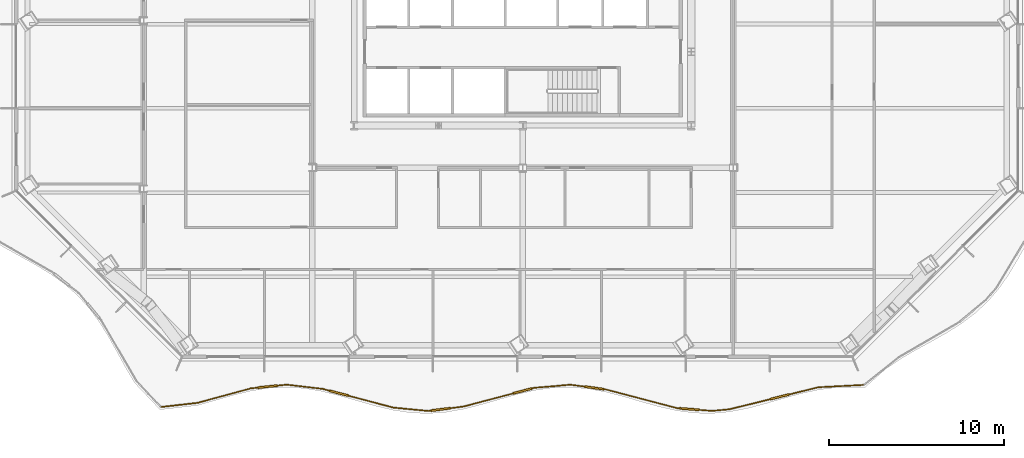
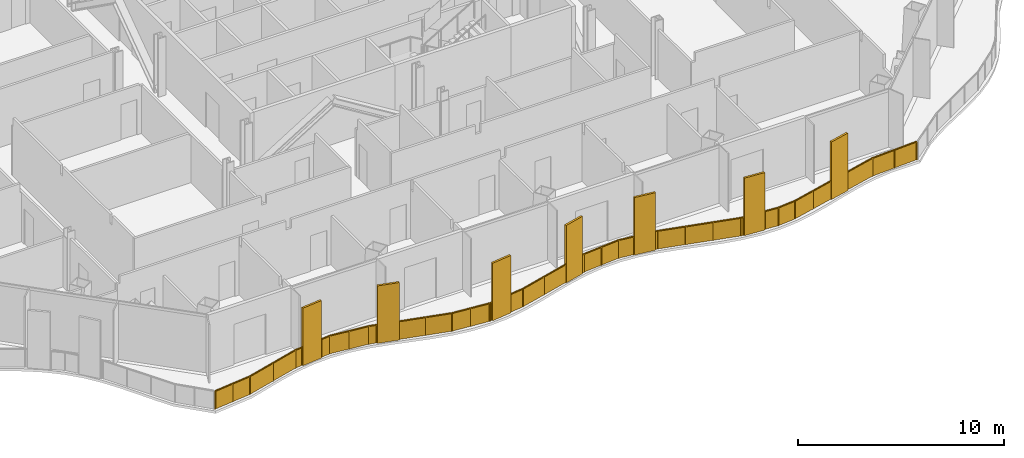
# One storey, part 15 of 22: 1 railing.
"""IFC4 building model written with IfcOpenShell, lengths in metres."""

from ifc_helpers import new_model, si_unit, direction, frame, origin, origin_2d, place, context, subcontext, project, spatial, polyline, rectangle, outline, extrude, material, type_object, element, save


model = new_model("IFC4")

# Units and contexts
model_context = context("Model", 3, precision=1e-05, world=origin(), true_north=direction((0.0, 1.0)))
body_context = subcontext(model_context, "Body", "Model", "MODEL_VIEW")
ifc_project = project(units=[si_unit("LENGTHUNIT", "METRE"), si_unit("AREAUNIT", "SQUARE_METRE"), si_unit("VOLUMEUNIT", "CUBIC_METRE"), si_unit("PLANEANGLEUNIT", "RADIAN"), si_unit("MASSUNIT", "GRAM", prefix="KILO")], contexts=[model_context])

# Site, building, storey
site_placement = place(None, origin())
site = spatial("IfcSite", under=ifc_project, at=site_placement, CompositionType="ELEMENT")
building_placement = place(site_placement, origin())
building = spatial("IfcBuilding", under=site, at=building_placement, Name="Cairn Pilgrim Tower", CompositionType="ELEMENT")
storey_placement = place(building_placement, frame((0.0, 0.0, 112.199951171875)))
storey = spatial("IfcBuildingStorey", under=building, at=storey_placement, Name="L27", CompositionType="ELEMENT", Elevation=112.199951171875)

# Railing
ifc_material = material(Name="Bronze anodised aluminium rail, posts and fin screens with laminated glass infill", Category="aluminium")
railing_type = type_object("IfcRailingType", Name="BALCONY GUARD WITH FIN SCREENS", PredefinedType="GUARDRAIL", material=ifc_material)
railing_placement = place(storey_placement, frame((-13.414794921875, -22.036376953125, 0.0)))
element("IfcRailing", 1, at=railing_placement, inside=storey, type_object=railing_type, Name="Balcony guard BGF-1 with fin screens", PredefinedType="GUARDRAIL", context=body_context, shape_type="SweptSolid", body=[
    extrude(rectangle(XDim=0.050048828125, YDim=0.050048828125, at=origin_2d()), frame((0.0, 0.0, 1.0751953125), z_axis=(0.993585282141, 0.113085309008, 0.0), x_axis=(-0.113085309008, 0.993585282141, 0.0)), (0.0, 0.0, 1.0), 2.08984375),
    extrude(rectangle(XDim=0.050048828125, YDim=0.050048828125, at=origin_2d()), frame((2.076416015625, 0.236328125, 1.0751953125), z_axis=(0.965069769066, 0.261993016769, 0.0), x_axis=(-0.261993016769, 0.965069769066, 0.0)), (0.0, 0.0, 1.0), 3.142333984375),
    extrude(rectangle(XDim=1.10009765625, YDim=0.110107421875, at=origin_2d()), frame((6.07275390625, 1.16015625, 0.0), z_axis=(0.0, 0.0, 1.0), x_axis=(0.994599825521, 0.10378432962, 0.0)), (0.0, 0.0, 1.0), 3.39990234375),
    extrude(rectangle(XDim=0.050048828125, YDim=0.050048828125, at=origin_2d()), frame((5.10888671875, 1.0595703125, 1.0751953125), z_axis=(0.994599825521, 0.10378432962, 0.0), x_axis=(-0.10378432962, 0.994599825521, 0.0)), (0.0, 0.0, 1.0), 0.419189453125),
    extrude(rectangle(XDim=0.050048828125, YDim=0.050048828125, at=origin_2d()), frame((6.619873046875, 1.21728515625, 1.0751953125), z_axis=(0.994599825521, 0.10378432962, 0.0), x_axis=(-0.10378432962, 0.994599825521, 0.0)), (0.0, 0.0, 1.0), 0.54150390625),
    extrude(rectangle(XDim=0.050048828125, YDim=0.050048828125, at=origin_2d()), frame((7.158447265625, 1.2734375, 1.0751953125), z_axis=(0.993177246604, -0.116614565253, 0.0), x_axis=(0.116614565253, 0.993177246604, 0.0)), (0.0, 0.0, 1.0), 2.062255859375),
    extrude(rectangle(XDim=1.10009765625, YDim=0.110107421875, at=origin_2d()), frame((10.142578125, 0.78564453125, 0.0), z_axis=(0.0, 0.0, 1.0), x_axis=(0.96679017807, -0.255571421695, 0.0)), (0.0, 0.0, 1.0), 3.39990234375),
    extrude(rectangle(XDim=0.050048828125, YDim=0.050048828125, at=origin_2d()), frame((9.20654296875, 1.032958984375, 1.0751953125), z_axis=(0.96679017807, -0.255571421695, 0.0), x_axis=(0.255571421695, 0.96679017807, 0.0)), (0.0, 0.0, 1.0), 0.418212890625),
    extrude(rectangle(XDim=0.050048828125, YDim=0.050048828125, at=origin_2d()), frame((10.67431640625, 0.64501953125, 1.0751953125), z_axis=(0.96679017807, -0.255571421695, 0.0), x_axis=(0.255571421695, 0.96679017807, 0.0)), (0.0, 0.0, 1.0), 2.6611328125),
    extrude(rectangle(XDim=0.050048828125, YDim=0.050048828125, at=origin_2d()), frame((13.2470703125, -0.03515625, 1.0751953125), z_axis=(0.995486696668, -0.094901194707, 0.0), x_axis=(0.094901194707, 0.995486696668, 0.0)), (0.0, 0.0, 1.0), 2.00146484375),
    extrude(rectangle(XDim=1.10009765625, YDim=0.110107421875, at=origin_2d()), frame((15.933837890625, -0.1376953125, 0.0), z_axis=(0.0, 0.0, 1.0), x_axis=(0.992161609302, 0.124961358136, 0.0)), (0.0, 0.0, 1.0), 3.39990234375),
    extrude(rectangle(XDim=0.050048828125, YDim=0.050048828125, at=origin_2d()), frame((15.239501953125, -0.22509765625, 1.0751953125), z_axis=(0.992161609302, 0.124961358136, 0.0), x_axis=(-0.124961358136, 0.992161609302, 0.0)), (0.0, 0.0, 1.0), 0.14990234375),
    extrude(rectangle(XDim=0.050048828125, YDim=0.050048828125, at=origin_2d()), frame((16.4794921875, -0.06884765625, 1.0751953125), z_axis=(0.992161609302, 0.124961358136, 0.0), x_axis=(-0.124961358136, 0.992161609302, 0.0)), (0.0, 0.0, 1.0), 0.760498046875),
    extrude(rectangle(XDim=1.10009765625, YDim=0.110107421875, at=origin_2d()), frame((20.602294921875, 0.914794921875, 0.0), z_axis=(0.0, 0.0, 1.0), x_axis=(0.966916354271, 0.255093637404, 0.0)), (0.0, 0.0, 1.0), 3.39990234375),
    extrude(rectangle(XDim=0.050048828125, YDim=0.050048828125, at=origin_2d()), frame((17.234130859375, 0.026123046875, 1.0751953125), z_axis=(0.966916354271, 0.255093637404, 0.0), x_axis=(-0.255093637404, 0.966916354271, 0.0)), (0.0, 0.0, 1.0), 2.933349609375),
    extrude(rectangle(XDim=0.050048828125, YDim=0.050048828125, at=origin_2d()), frame((21.134033203125, 1.054931640625, 1.0751953125), z_axis=(0.966916354271, 0.255093637404, 0.0), x_axis=(-0.255093637404, 0.966916354271, 0.0)), (0.0, 0.0, 1.0), 0.14990234375),
    extrude(rectangle(XDim=0.050048828125, YDim=0.050048828125, at=origin_2d()), frame((21.279052734375, 1.09326171875, 1.0751953125), z_axis=(0.99628408695, 0.086127917019, 0.0), x_axis=(-0.086127917019, 0.99628408695, 0.0)), (0.0, 0.0, 1.0), 2.057861328125),
    extrude(rectangle(XDim=1.10009765625, YDim=0.110107421875, at=origin_2d()), frame((24.682373046875, 1.088623046875, 0.0), z_axis=(0.0, 0.0, 1.0), x_axis=(0.991085892117, -0.133224451385, 0.0)), (0.0, 0.0, 1.0), 3.39990234375),
    extrude(rectangle(XDim=0.050048828125, YDim=0.050048828125, at=origin_2d()), frame((23.329345703125, 1.2705078125, 1.0751953125), z_axis=(0.991085892117, -0.133224451385, 0.0), x_axis=(0.133224451385, 0.991085892117, 0.0)), (0.0, 0.0, 1.0), 0.815185546875),
    extrude(rectangle(XDim=0.050048828125, YDim=0.050048828125, at=origin_2d()), frame((25.2275390625, 1.015380859375, 1.0751953125), z_axis=(0.991085892117, -0.133224451385, 0.0), x_axis=(0.133224451385, 0.991085892117, 0.0)), (0.0, 0.0, 1.0), 0.150146484375),
    extrude(rectangle(XDim=0.050048828125, YDim=0.050048828125, at=origin_2d()), frame((25.376220703125, 0.995361328125, 1.0751953125), z_axis=(0.967094227536, -0.254418464478, 0.0), x_axis=(0.254418464478, 0.967094227536, 0.0)), (0.0, 0.0, 1.0), 4.17529296875),
    extrude(rectangle(XDim=1.10009765625, YDim=0.110107421875, at=origin_2d()), frame((30.11181640625, -0.120849609375, 0.0), z_axis=(0.0, 0.0, 1.0), x_axis=(0.997031472181, -0.076995087376, 0.0)), (0.0, 0.0, 1.0), 3.39990234375),
    extrude(rectangle(XDim=0.050048828125, YDim=0.050048828125, at=origin_2d()), frame((29.4140625, -0.06689453125, 1.0751953125), z_axis=(0.997031472181, -0.076995087376, 0.0), x_axis=(0.076995087376, 0.997031472181, 0.0)), (0.0, 0.0, 1.0), 0.14990234375),
    extrude(rectangle(XDim=0.050048828125, YDim=0.050048828125, at=origin_2d()), frame((30.660400390625, -0.1630859375, 1.0751953125), z_axis=(0.997031472181, -0.076995087376, 0.0), x_axis=(0.076995087376, 0.997031472181, 0.0)), (0.0, 0.0, 1.0), 0.7509765625),
    extrude(rectangle(XDim=0.050048828125, YDim=0.050048828125, at=origin_2d()), frame((31.408935546875, -0.220947265625, 1.0751953125), z_axis=(0.995744443529, 0.092157491185, 0.0), x_axis=(-0.092157491185, 0.995744443529, 0.0)), (0.0, 0.0, 1.0), 0.99072265625),
    extrude(rectangle(XDim=1.10009765625, YDim=0.110107421875, at=origin_2d()), frame((35.2626953125, 0.581787109375, 0.0), z_axis=(0.0, 0.0, 1.0), x_axis=(0.970571070207, 0.240814861828, 0.0)), (0.0, 0.0, 1.0), 3.39990234375),
    extrude(rectangle(XDim=0.050048828125, YDim=0.050048828125, at=origin_2d()), frame((32.3955078125, -0.129638671875, 1.0751953125), z_axis=(0.970571070207, 0.240814861828, 0.0), x_axis=(-0.240814861828, 0.970571070207, 0.0)), (0.0, 0.0, 1.0), 2.404052734375),
    extrude(rectangle(XDim=0.050048828125, YDim=0.050048828125, at=origin_2d()), frame((35.79638671875, 0.714111328125, 1.0751953125), z_axis=(0.970571070207, 0.240814861828, 0.0), x_axis=(-0.240814861828, 0.970571070207, 0.0)), (0.0, 0.0, 1.0), 1.704833984375),
    extrude(rectangle(XDim=0.050048828125, YDim=0.050048828125, at=origin_2d()), frame((37.451171875, 1.124755859375, 1.0751953125), z_axis=(0.998649050949, 0.051962227041, 0.0), x_axis=(-0.051962227041, 0.998649050949, 0.0)), (0.0, 0.0, 1.0), 2.555908203125),
    extrude(rectangle(XDim=0.050048828125, YDim=0.050048828125, at=origin_2d()), origin(), (0.0, 0.0, 1.0), 1.050048828125),
    extrude(rectangle(XDim=0.050048828125, YDim=0.050048828125, at=origin_2d()), frame((1.0380859375, 0.1181640625, 0.0)), (0.0, 0.0, 1.0), 1.050048828125),
    extrude(rectangle(XDim=0.050048828125, YDim=0.050048828125, at=origin_2d()), frame((2.076416015625, 0.236328125, 0.0)), (0.0, 0.0, 1.0), 1.050048828125),
    extrude(rectangle(XDim=0.050048828125, YDim=0.050048828125, at=origin_2d()), frame((3.5927734375, 0.64794921875, 0.0)), (0.0, 0.0, 1.0), 1.050048828125),
    extrude(rectangle(XDim=0.050048828125, YDim=0.050048828125, at=origin_2d()), frame((5.10888671875, 1.0595703125, 0.0)), (0.0, 0.0, 1.0), 1.050048828125),
    extrude(rectangle(XDim=0.050048828125, YDim=0.050048828125, at=origin_2d()), frame((5.5009765625, 1.1005859375, 0.0)), (0.0, 0.0, 1.0), 1.050048828125),
    extrude(rectangle(XDim=0.050048828125, YDim=0.050048828125, at=origin_2d()), frame((6.644775390625, 1.2197265625, 0.0)), (0.0, 0.0, 1.0), 1.050048828125),
    extrude(rectangle(XDim=0.050048828125, YDim=0.050048828125, at=origin_2d()), frame((7.158447265625, 1.2734375, 0.0)), (0.0, 0.0, 1.0), 1.050048828125),
    extrude(rectangle(XDim=0.050048828125, YDim=0.050048828125, at=origin_2d()), frame((8.1826171875, 1.1533203125, 0.0)), (0.0, 0.0, 1.0), 1.050048828125),
    extrude(rectangle(XDim=0.050048828125, YDim=0.050048828125, at=origin_2d()), frame((9.20654296875, 1.032958984375, 0.0)), (0.0, 0.0, 1.0), 1.050048828125),
    extrude(rectangle(XDim=0.050048828125, YDim=0.050048828125, at=origin_2d()), frame((9.586669921875, 0.9326171875, 0.0)), (0.0, 0.0, 1.0), 1.050048828125),
    extrude(rectangle(XDim=0.050048828125, YDim=0.050048828125, at=origin_2d()), frame((10.698486328125, 0.638671875, 0.0)), (0.0, 0.0, 1.0), 1.050048828125),
    extrude(rectangle(XDim=0.050048828125, YDim=0.050048828125, at=origin_2d()), frame((11.97265625, 0.3017578125, 0.0)), (0.0, 0.0, 1.0), 1.050048828125),
    extrude(rectangle(XDim=0.050048828125, YDim=0.050048828125, at=origin_2d()), frame((13.2470703125, -0.03515625, 0.0)), (0.0, 0.0, 1.0), 1.050048828125),
    extrude(rectangle(XDim=0.050048828125, YDim=0.050048828125, at=origin_2d()), frame((14.2431640625, -0.130126953125, 0.0)), (0.0, 0.0, 1.0), 1.050048828125),
    extrude(rectangle(XDim=0.050048828125, YDim=0.050048828125, at=origin_2d()), frame((15.239501953125, -0.22509765625, 0.0)), (0.0, 0.0, 1.0), 1.050048828125),
    extrude(rectangle(XDim=0.050048828125, YDim=0.050048828125, at=origin_2d()), frame((15.36328125, -0.20947265625, 0.0)), (0.0, 0.0, 1.0), 1.050048828125),
    extrude(rectangle(XDim=0.050048828125, YDim=0.050048828125, at=origin_2d()), frame((16.50439453125, -0.065673828125, 0.0)), (0.0, 0.0, 1.0), 1.050048828125),
    extrude(rectangle(XDim=0.050048828125, YDim=0.050048828125, at=origin_2d()), frame((17.234130859375, 0.026123046875, 0.0)), (0.0, 0.0, 1.0), 1.050048828125),
    extrude(rectangle(XDim=0.050048828125, YDim=0.050048828125, at=origin_2d()), frame((18.64013671875, 0.39697265625, 0.0)), (0.0, 0.0, 1.0), 1.050048828125),
    extrude(rectangle(XDim=0.050048828125, YDim=0.050048828125, at=origin_2d()), frame((20.046142578125, 0.76806640625, 0.0)), (0.0, 0.0, 1.0), 1.050048828125),
    extrude(rectangle(XDim=0.050048828125, YDim=0.050048828125, at=origin_2d()), frame((21.158203125, 1.061279296875, 0.0)), (0.0, 0.0, 1.0), 1.050048828125),
    extrude(rectangle(XDim=0.050048828125, YDim=0.050048828125, at=origin_2d()), frame((21.279052734375, 1.09326171875, 0.0)), (0.0, 0.0, 1.0), 1.050048828125),
    extrude(rectangle(XDim=0.050048828125, YDim=0.050048828125, at=origin_2d()), frame((22.30419921875, 1.181884765625, 0.0)), (0.0, 0.0, 1.0), 1.050048828125),
    extrude(rectangle(XDim=0.050048828125, YDim=0.050048828125, at=origin_2d()), frame((23.329345703125, 1.2705078125, 0.0)), (0.0, 0.0, 1.0), 1.050048828125),
    extrude(rectangle(XDim=0.050048828125, YDim=0.050048828125, at=origin_2d()), frame((24.112548828125, 1.165283203125, 0.0)), (0.0, 0.0, 1.0), 1.050048828125),
    extrude(rectangle(XDim=0.050048828125, YDim=0.050048828125, at=origin_2d()), frame((25.252197265625, 1.011962890625, 0.0)), (0.0, 0.0, 1.0), 1.050048828125),
    extrude(rectangle(XDim=0.050048828125, YDim=0.050048828125, at=origin_2d()), frame((25.376220703125, 0.995361328125, 0.0)), (0.0, 0.0, 1.0), 1.050048828125),
    extrude(rectangle(XDim=0.050048828125, YDim=0.050048828125, at=origin_2d()), frame((26.72216796875, 0.641357421875, 0.0)), (0.0, 0.0, 1.0), 1.050048828125),
    extrude(rectangle(XDim=0.050048828125, YDim=0.050048828125, at=origin_2d()), frame((28.068115234375, 0.287109375, 0.0)), (0.0, 0.0, 1.0), 1.050048828125),
    extrude(rectangle(XDim=0.050048828125, YDim=0.050048828125, at=origin_2d()), frame((29.4140625, -0.06689453125, 0.0)), (0.0, 0.0, 1.0), 1.050048828125),
    extrude(rectangle(XDim=0.050048828125, YDim=0.050048828125, at=origin_2d()), frame((29.53857421875, -0.076416015625, 0.0)), (0.0, 0.0, 1.0), 1.050048828125),
    extrude(rectangle(XDim=0.050048828125, YDim=0.050048828125, at=origin_2d()), frame((30.685302734375, -0.1650390625, 0.0)), (0.0, 0.0, 1.0), 1.050048828125),
    extrude(rectangle(XDim=0.050048828125, YDim=0.050048828125, at=origin_2d()), frame((31.408935546875, -0.220947265625, 0.0)), (0.0, 0.0, 1.0), 1.050048828125),
    extrude(rectangle(XDim=0.050048828125, YDim=0.050048828125, at=origin_2d()), frame((32.3955078125, -0.129638671875, 0.0)), (0.0, 0.0, 1.0), 1.050048828125),
    extrude(rectangle(XDim=0.050048828125, YDim=0.050048828125, at=origin_2d()), frame((33.550048828125, 0.15673828125, 0.0)), (0.0, 0.0, 1.0), 1.050048828125),
    extrude(rectangle(XDim=0.050048828125, YDim=0.050048828125, at=origin_2d()), frame((34.70458984375, 0.443359375, 0.0)), (0.0, 0.0, 1.0), 1.050048828125),
    extrude(rectangle(XDim=0.050048828125, YDim=0.050048828125, at=origin_2d()), frame((35.82080078125, 0.72021484375, 0.0)), (0.0, 0.0, 1.0), 1.050048828125),
    extrude(rectangle(XDim=0.050048828125, YDim=0.050048828125, at=origin_2d()), frame((37.451171875, 1.124755859375, 0.0)), (0.0, 0.0, 1.0), 1.050048828125),
    extrude(rectangle(XDim=0.050048828125, YDim=0.050048828125, at=origin_2d()), frame((38.7275390625, 1.191162109375, 0.0)), (0.0, 0.0, 1.0), 1.050048828125),
    extrude(rectangle(XDim=0.050048828125, YDim=0.050048828125, at=origin_2d()), frame((40.003662109375, 1.257568359375, 0.0)), (0.0, 0.0, 1.0), 1.050048828125),
    extrude(outline(polyline([(0.02490234375, 0.0), (1.019775390625, 0.0), (1.019775390625, 1.050048828125), (0.02490234375, 1.050048828125), (0.02490234375, 0.0)])), frame((-0.000732421875, 0.005859375, 0.0), z_axis=(0.113085309008, -0.993585282141, 0.0), x_axis=(0.993585282141, 0.113085309008, 0.0)), (0.0, 0.0, 1.0), 0.011962890625),
    extrude(outline(polyline([(0.02490234375, 0.0), (1.019775390625, 0.0), (1.019775390625, 1.050048828125), (0.02490234375, 1.050048828125), (0.02490234375, 0.0)])), frame((1.03759765625, 0.1240234375, 0.0), z_axis=(0.113085309008, -0.993585282141, 0.0), x_axis=(0.993585282141, 0.113085309008, 0.0)), (0.0, 0.0, 1.0), 0.011962890625),
    extrude(outline(polyline([(0.02490234375, 0.0), (1.546142578125, 0.0), (1.546142578125, 1.050048828125), (0.02490234375, 1.050048828125), (0.02490234375, 0.0)])), frame((2.074951171875, 0.2421875, 0.0), z_axis=(0.261993016769, -0.965069769066, 0.0), x_axis=(0.965069769066, 0.261993016769, 0.0)), (0.0, 0.0, 1.0), 0.011962890625),
    extrude(outline(polyline([(0.02490234375, 0.0), (1.546142578125, 0.0), (1.546142578125, 1.050048828125), (0.02490234375, 1.050048828125), (0.02490234375, 0.0)])), frame((3.591064453125, 0.65380859375, 0.0), z_axis=(0.261993016769, -0.965069769066, 0.0), x_axis=(0.965069769066, 0.261993016769, 0.0)), (0.0, 0.0, 1.0), 0.011962890625),
    extrude(outline(polyline([(0.02490234375, 0.0), (0.369140625, 0.0), (0.369140625, 1.050048828125), (0.02490234375, 1.050048828125), (0.02490234375, 0.0)])), frame((5.108154296875, 1.0654296875, 0.0), z_axis=(0.10378432962, -0.994599825521, 0.0), x_axis=(0.994599825521, 0.10378432962, 0.0)), (0.0, 0.0, 1.0), 0.011962890625),
    extrude(outline(polyline([(0.02490234375, 0.0), (0.491455078125, 0.0), (0.491455078125, 1.050048828125), (0.02490234375, 1.050048828125), (0.02490234375, 0.0)])), frame((6.64404296875, 1.225830078125, 0.0), z_axis=(0.10378432962, -0.994599825521, 0.0), x_axis=(0.994599825521, 0.10378432962, 0.0)), (0.0, 0.0, 1.0), 0.011962890625),
    extrude(outline(polyline([(0.02490234375, 0.0), (1.006103515625, 0.0), (1.006103515625, 1.050048828125), (0.02490234375, 1.050048828125), (0.02490234375, 0.0)])), frame((7.1591796875, 1.279296875, 0.0), z_axis=(-0.116614565253, -0.993177246604, 0.0), x_axis=(0.993177246604, -0.116614565253, 0.0)), (0.0, 0.0, 1.0), 0.011962890625),
    extrude(outline(polyline([(0.02490234375, 0.0), (1.006103515625, 0.0), (1.006103515625, 1.050048828125), (0.02490234375, 1.050048828125), (0.02490234375, 0.0)])), frame((8.18310546875, 1.1591796875, 0.0), z_axis=(-0.116614565253, -0.993177246604, 0.0), x_axis=(0.993177246604, -0.116614565253, 0.0)), (0.0, 0.0, 1.0), 0.011962890625),
    extrude(outline(polyline([(0.02490234375, 0.0), (0.3681640625, 0.0), (0.3681640625, 1.050048828125), (0.02490234375, 1.050048828125), (0.02490234375, 0.0)])), frame((9.2080078125, 1.038818359375, 0.0), z_axis=(-0.255571421695, -0.96679017807, 0.0), x_axis=(0.96679017807, -0.255571421695, 0.0)), (0.0, 0.0, 1.0), 0.011962890625),
    extrude(outline(polyline([(0.02490234375, 0.0), (1.29296875, 0.0), (1.29296875, 1.050048828125), (0.02490234375, 1.050048828125), (0.02490234375, 0.0)])), frame((10.699951171875, 0.644287109375, 0.0), z_axis=(-0.255571421695, -0.96679017807, 0.0), x_axis=(0.96679017807, -0.255571421695, 0.0)), (0.0, 0.0, 1.0), 0.011962890625),
    extrude(outline(polyline([(0.02490234375, 0.0), (1.29296875, 0.0), (1.29296875, 1.050048828125), (0.02490234375, 1.050048828125), (0.02490234375, 0.0)])), frame((11.974365234375, 0.3076171875, 0.0), z_axis=(-0.255571421695, -0.96679017807, 0.0), x_axis=(0.96679017807, -0.255571421695, 0.0)), (0.0, 0.0, 1.0), 0.011962890625),
    extrude(outline(polyline([(0.02490234375, 0.0), (0.975830078125, 0.0), (0.975830078125, 1.050048828125), (0.02490234375, 1.050048828125), (0.02490234375, 0.0)])), frame((13.24755859375, -0.029296875, 0.0), z_axis=(-0.094901194707, -0.995486696668, 0.0), x_axis=(0.995486696668, -0.094901194707, 0.0)), (0.0, 0.0, 1.0), 0.011962890625),
    extrude(outline(polyline([(0.02490234375, 0.0), (0.975830078125, 0.0), (0.975830078125, 1.050048828125), (0.02490234375, 1.050048828125), (0.02490234375, 0.0)])), frame((14.243896484375, -0.124267578125, 0.0), z_axis=(-0.094901194707, -0.995486696668, 0.0), x_axis=(0.995486696668, -0.094901194707, 0.0)), (0.0, 0.0, 1.0), 0.011962890625),
    extrude(outline(polyline([(0.02490234375, 0.0), (0.099853515625, 0.0), (0.099853515625, 1.050048828125), (0.02490234375, 1.050048828125), (0.02490234375, 0.0)])), frame((15.23876953125, -0.21923828125, 0.0), z_axis=(0.124961358136, -0.992161609302, 0.0), x_axis=(0.992161609302, 0.124961358136, 0.0)), (0.0, 0.0, 1.0), 0.011962890625),
    extrude(outline(polyline([(0.02490234375, 0.0), (0.71044921875, 0.0), (0.71044921875, 1.050048828125), (0.02490234375, 1.050048828125), (0.02490234375, 0.0)])), frame((16.503662109375, -0.059814453125, 0.0), z_axis=(0.124961358136, -0.992161609302, 0.0), x_axis=(0.992161609302, 0.124961358136, 0.0)), (0.0, 0.0, 1.0), 0.011962890625),
    extrude(outline(polyline([(0.02490234375, 0.0), (1.42919921875, 0.0), (1.42919921875, 1.050048828125), (0.02490234375, 1.050048828125), (0.02490234375, 0.0)])), frame((17.232666015625, 0.031982421875, 0.0), z_axis=(0.255093637404, -0.966916354271, 0.0), x_axis=(0.966916354271, 0.255093637404, 0.0)), (0.0, 0.0, 1.0), 0.011962890625),
    extrude(outline(polyline([(0.02490234375, 0.0), (1.42919921875, 0.0), (1.42919921875, 1.050048828125), (0.02490234375, 1.050048828125), (0.02490234375, 0.0)])), frame((18.638671875, 0.40283203125, 0.0), z_axis=(0.255093637404, -0.966916354271, 0.0), x_axis=(0.966916354271, 0.255093637404, 0.0)), (0.0, 0.0, 1.0), 0.011962890625),
    extrude(outline(polyline([(0.02490234375, 0.0), (0.099853515625, 0.0), (0.099853515625, 1.050048828125), (0.02490234375, 1.050048828125), (0.02490234375, 0.0)])), frame((21.15673828125, 1.067138671875, 0.0), z_axis=(0.255093637404, -0.966916354271, 0.0), x_axis=(0.966916354271, 0.255093637404, 0.0)), (0.0, 0.0, 1.0), 0.011962890625),
    extrude(outline(polyline([(0.02490234375, 0.0), (1.00390625, 0.0), (1.00390625, 1.050048828125), (0.02490234375, 1.050048828125), (0.02490234375, 0.0)])), frame((21.278564453125, 1.09912109375, 0.0), z_axis=(0.086127917019, -0.99628408695, 0.0), x_axis=(0.99628408695, 0.086127917019, 0.0)), (0.0, 0.0, 1.0), 0.011962890625),
    extrude(outline(polyline([(0.02490234375, 0.0), (1.00390625, 0.0), (1.00390625, 1.050048828125), (0.02490234375, 1.050048828125), (0.02490234375, 0.0)])), frame((22.3037109375, 1.187744140625, 0.0), z_axis=(0.086127917019, -0.99628408695, 0.0), x_axis=(0.99628408695, 0.086127917019, 0.0)), (0.0, 0.0, 1.0), 0.011962890625),
    extrude(outline(polyline([(0.02490234375, 0.0), (0.76513671875, 0.0), (0.76513671875, 1.050048828125), (0.02490234375, 1.050048828125), (0.02490234375, 0.0)])), frame((23.330078125, 1.2763671875, 0.0), z_axis=(-0.133224451385, -0.991085892117, 0.0), x_axis=(0.991085892117, -0.133224451385, 0.0)), (0.0, 0.0, 1.0), 0.011962890625),
    extrude(outline(polyline([(0.02490234375, 0.0), (0.10009765625, 0.0), (0.10009765625, 1.050048828125), (0.02490234375, 1.050048828125), (0.02490234375, 0.0)])), frame((25.2529296875, 1.01806640625, 0.0), z_axis=(-0.133224451385, -0.991085892117, 0.0), x_axis=(0.991085892117, -0.133224451385, 0.0)), (0.0, 0.0, 1.0), 0.011962890625),
    extrude(outline(polyline([(0.02490234375, 0.0), (1.36669921875, 0.0), (1.36669921875, 1.050048828125), (0.02490234375, 1.050048828125), (0.02490234375, 0.0)])), frame((25.377685546875, 1.001220703125, 0.0), z_axis=(-0.254418464478, -0.967094227536, 0.0), x_axis=(0.967094227536, -0.254418464478, 0.0)), (0.0, 0.0, 1.0), 0.011962890625),
    extrude(outline(polyline([(0.02490234375, 0.0), (1.36669921875, 0.0), (1.36669921875, 1.050048828125), (0.02490234375, 1.050048828125), (0.02490234375, 0.0)])), frame((26.7236328125, 0.64697265625, 0.0), z_axis=(-0.254418464478, -0.967094227536, 0.0), x_axis=(0.967094227536, -0.254418464478, 0.0)), (0.0, 0.0, 1.0), 0.011962890625),
    extrude(outline(polyline([(0.02490234375, 0.0), (1.36669921875, 0.0), (1.36669921875, 1.050048828125), (0.02490234375, 1.050048828125), (0.02490234375, 0.0)])), frame((28.069580078125, 0.29296875, 0.0), z_axis=(-0.254418464478, -0.967094227536, 0.0), x_axis=(0.967094227536, -0.254418464478, 0.0)), (0.0, 0.0, 1.0), 0.011962890625),
    extrude(outline(polyline([(0.02490234375, 0.0), (0.099853515625, 0.0), (0.099853515625, 1.050048828125), (0.02490234375, 1.050048828125), (0.02490234375, 0.0)])), frame((29.41455078125, -0.06103515625, 0.0), z_axis=(-0.076995087376, -0.997031472181, 0.0), x_axis=(0.997031472181, -0.076995087376, 0.0)), (0.0, 0.0, 1.0), 0.011962890625),
    extrude(outline(polyline([(0.02490234375, 0.0), (0.700927734375, 0.0), (0.700927734375, 1.050048828125), (0.02490234375, 1.050048828125), (0.02490234375, 0.0)])), frame((30.685791015625, -0.1591796875, 0.0), z_axis=(-0.076995087376, -0.997031472181, 0.0), x_axis=(0.997031472181, -0.076995087376, 0.0)), (0.0, 0.0, 1.0), 0.011962890625),
    extrude(outline(polyline([(0.02490234375, 0.0), (0.9658203125, 0.0), (0.9658203125, 1.050048828125), (0.02490234375, 1.050048828125), (0.02490234375, 0.0)])), frame((31.408447265625, -0.215087890625, 0.0), z_axis=(0.092157491185, -0.995744443529, 0.0), x_axis=(0.995744443529, 0.092157491185, 0.0)), (0.0, 0.0, 1.0), 0.011962890625),
    extrude(outline(polyline([(0.02490234375, 0.0), (1.16455078125, 0.0), (1.16455078125, 1.050048828125), (0.02490234375, 1.050048828125), (0.02490234375, 0.0)])), frame((32.39404296875, -0.123779296875, 0.0), z_axis=(0.240814861828, -0.970571070207, 0.0), x_axis=(0.970571070207, 0.240814861828, 0.0)), (0.0, 0.0, 1.0), 0.011962890625),
    extrude(outline(polyline([(0.02490234375, 0.0), (1.16455078125, 0.0), (1.16455078125, 1.050048828125), (0.02490234375, 1.050048828125), (0.02490234375, 0.0)])), frame((33.548583984375, 0.16259765625, 0.0), z_axis=(0.240814861828, -0.970571070207, 0.0), x_axis=(0.970571070207, 0.240814861828, 0.0)), (0.0, 0.0, 1.0), 0.011962890625),
    extrude(outline(polyline([(0.02490234375, 0.0), (1.65478515625, 0.0), (1.65478515625, 1.050048828125), (0.02490234375, 1.050048828125), (0.02490234375, 0.0)])), frame((35.8193359375, 0.72607421875, 0.0), z_axis=(0.240814861828, -0.970571070207, 0.0), x_axis=(0.970571070207, 0.240814861828, 0.0)), (0.0, 0.0, 1.0), 0.011962890625),
    extrude(outline(polyline([(0.02490234375, 0.0), (1.2529296875, 0.0), (1.2529296875, 1.050048828125), (0.02490234375, 1.050048828125), (0.02490234375, 0.0)])), frame((37.450927734375, 1.130615234375, 0.0), z_axis=(0.051962227041, -0.998649050949, 0.0), x_axis=(0.998649050949, 0.051962227041, 0.0)), (0.0, 0.0, 1.0), 0.011962890625),
    extrude(outline(polyline([(0.02490234375, 0.0), (1.2529296875, 0.0), (1.2529296875, 1.050048828125), (0.02490234375, 1.050048828125), (0.02490234375, 0.0)])), frame((38.72705078125, 1.197021484375, 0.0), z_axis=(0.051962227041, -0.998649050949, 0.0), x_axis=(0.998649050949, 0.051962227041, 0.0)), (0.0, 0.0, 1.0), 0.011962890625),
])

save(model, "model.ifc")
